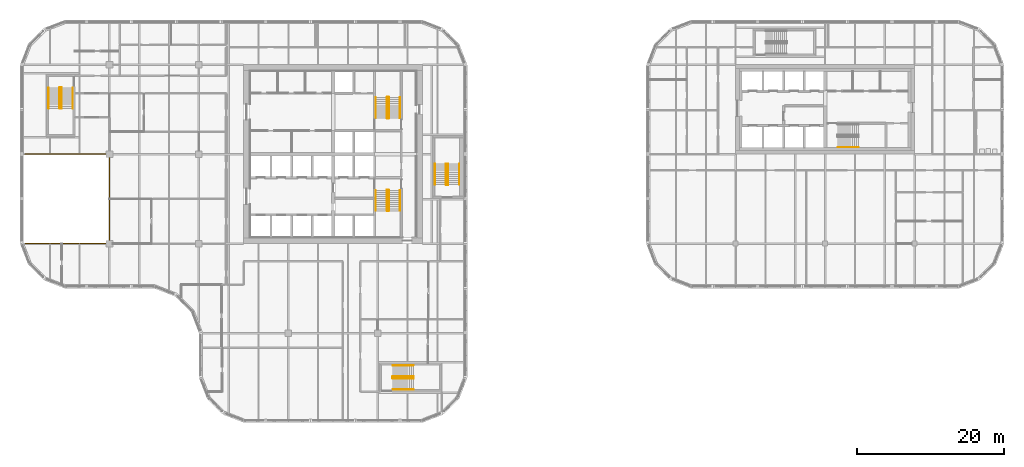
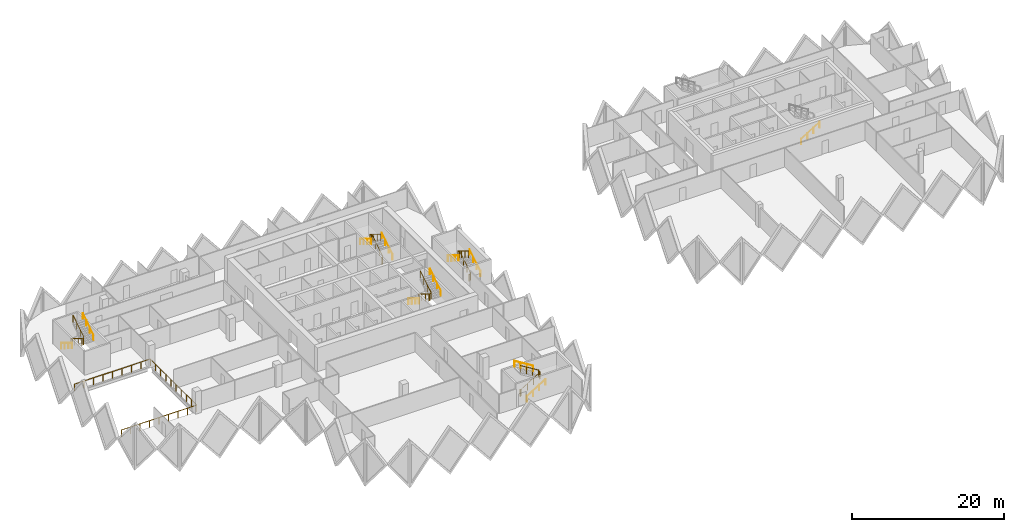
# One storey, part 17 of 19: 17 railings.
"""IFC4 building model written with IfcOpenShell, lengths in metres."""

from ifc_helpers import new_model, si_unit, direction, frame, origin, origin_2d, place, context, subcontext, project, spatial, circle, extrude, material, type_object, element, save


model = new_model("IFC4")

# Units and contexts
model_context = context("Model", 3, precision=1e-05, world=origin(), true_north=direction((0.0, 1.0)))
body_context = subcontext(model_context, "Body", "Model", "MODEL_VIEW")
ifc_project = project(units=[si_unit("LENGTHUNIT", "METRE"), si_unit("AREAUNIT", "SQUARE_METRE"), si_unit("VOLUMEUNIT", "CUBIC_METRE"), si_unit("PLANEANGLEUNIT", "RADIAN"), si_unit("MASSUNIT", "GRAM", prefix="KILO")], contexts=[model_context])

# Site, building, storey
site_placement = place(None, origin())
site = spatial("IfcSite", under=ifc_project, at=site_placement, CompositionType="ELEMENT")
building_placement = place(site_placement, origin())
building = spatial("IfcBuilding", under=site, at=building_placement, Name="Tessera Gate Towers", CompositionType="ELEMENT")
storey_placement = place(building_placement, frame((0.0, 0.0, 83.800048828125)))
storey = spatial("IfcBuildingStorey", under=building, at=storey_placement, Name="L20", CompositionType="ELEMENT", Elevation=83.800048828125)

# Railings
ifc_material_1 = material(Name="Toughened glass with stainless steel handrail", Category="steel")
railing_type_1 = type_object("IfcRailingType", Name="GUARD 1100 GLASS BALUSTRADE", PredefinedType="GUARDRAIL", material=ifc_material_1)
railing_1_placement = place(storey_placement, frame((0.750244140625, 24.39990234375, 0.0)))
element("IfcRailing", 1, at=railing_1_placement, inside=storey, type_object=railing_type_1, Name="Guard", PredefinedType="GUARDRAIL", context=body_context, shape_type="SweptSolid", body=[
    extrude(circle(Radius=0.02490234375, at=origin_2d()), frame((0.0, 0.0, 1.0751953125), z_axis=(1.0, 0.0, 0.0), x_axis=(0.0, 1.0, 0.0)), (0.0, 0.0, 1.0), 11.44970703125),
    extrude(circle(Radius=0.02490234375, at=origin_2d()), frame((11.44970703125, 0.0, 1.0751953125), z_axis=(0.0, 1.0, 0.0), x_axis=(-1.0, 0.0, 0.0)), (0.0, 0.0, 1.0), 12.2001953125),
    extrude(circle(Radius=0.02490234375, at=origin_2d()), frame((11.44970703125, 12.2001953125, 1.0751953125), z_axis=(-1.0, 0.0, 0.0), x_axis=(0.0, -1.0, 0.0)), (0.0, 0.0, 1.0), 11.5),
    extrude(circle(Radius=0.02490234375, at=origin_2d()), origin(), (0.0, 0.0, 1.0), 1.050048828125),
    extrude(circle(Radius=0.02490234375, at=origin_2d()), frame((1.43115234375, 0.0, 0.0)), (0.0, 0.0, 1.0), 1.050048828125),
    extrude(circle(Radius=0.02490234375, at=origin_2d()), frame((2.8623046875, 0.0, 0.0)), (0.0, 0.0, 1.0), 1.050048828125),
    extrude(circle(Radius=0.02490234375, at=origin_2d()), frame((4.293701171875, 0.0, 0.0)), (0.0, 0.0, 1.0), 1.050048828125),
    extrude(circle(Radius=0.02490234375, at=origin_2d()), frame((5.724853515625, 0.0, 0.0)), (0.0, 0.0, 1.0), 1.050048828125),
    extrude(circle(Radius=0.02490234375, at=origin_2d()), frame((7.156005859375, 0.0, 0.0)), (0.0, 0.0, 1.0), 1.050048828125),
    extrude(circle(Radius=0.02490234375, at=origin_2d()), frame((8.58740234375, 0.0, 0.0)), (0.0, 0.0, 1.0), 1.050048828125),
    extrude(circle(Radius=0.02490234375, at=origin_2d()), frame((10.0185546875, 0.0, 0.0)), (0.0, 0.0, 1.0), 1.050048828125),
    extrude(circle(Radius=0.02490234375, at=origin_2d()), frame((11.44970703125, 0.0, 0.0)), (0.0, 0.0, 1.0), 1.050048828125),
    extrude(circle(Radius=0.02490234375, at=origin_2d()), frame((11.44970703125, 1.35546875, 0.0)), (0.0, 0.0, 1.0), 1.050048828125),
    extrude(circle(Radius=0.02490234375, at=origin_2d()), frame((11.44970703125, 2.711181640625, 0.0)), (0.0, 0.0, 1.0), 1.050048828125),
    extrude(circle(Radius=0.02490234375, at=origin_2d()), frame((11.44970703125, 4.066650390625, 0.0)), (0.0, 0.0, 1.0), 1.050048828125),
    extrude(circle(Radius=0.02490234375, at=origin_2d()), frame((11.44970703125, 5.42236328125, 0.0)), (0.0, 0.0, 1.0), 1.050048828125),
    extrude(circle(Radius=0.02490234375, at=origin_2d()), frame((11.44970703125, 6.77783203125, 0.0)), (0.0, 0.0, 1.0), 1.050048828125),
    extrude(circle(Radius=0.02490234375, at=origin_2d()), frame((11.44970703125, 8.133544921875, 0.0)), (0.0, 0.0, 1.0), 1.050048828125),
    extrude(circle(Radius=0.02490234375, at=origin_2d()), frame((11.44970703125, 9.489013671875, 0.0)), (0.0, 0.0, 1.0), 1.050048828125),
    extrude(circle(Radius=0.02490234375, at=origin_2d()), frame((11.44970703125, 10.8447265625, 0.0)), (0.0, 0.0, 1.0), 1.050048828125),
    extrude(circle(Radius=0.02490234375, at=origin_2d()), frame((11.44970703125, 12.2001953125, 0.0)), (0.0, 0.0, 1.0), 1.050048828125),
    extrude(circle(Radius=0.02490234375, at=origin_2d()), frame((10.01220703125, 12.2001953125, 0.0)), (0.0, 0.0, 1.0), 1.050048828125),
    extrude(circle(Radius=0.02490234375, at=origin_2d()), frame((8.57470703125, 12.2001953125, 0.0)), (0.0, 0.0, 1.0), 1.050048828125),
    extrude(circle(Radius=0.02490234375, at=origin_2d()), frame((7.13720703125, 12.2001953125, 0.0)), (0.0, 0.0, 1.0), 1.050048828125),
    extrude(circle(Radius=0.02490234375, at=origin_2d()), frame((5.69970703125, 12.2001953125, 0.0)), (0.0, 0.0, 1.0), 1.050048828125),
    extrude(circle(Radius=0.02490234375, at=origin_2d()), frame((4.26220703125, 12.2001953125, 0.0)), (0.0, 0.0, 1.0), 1.050048828125),
    extrude(circle(Radius=0.02490234375, at=origin_2d()), frame((2.82470703125, 12.2001953125, 0.0)), (0.0, 0.0, 1.0), 1.050048828125),
    extrude(circle(Radius=0.02490234375, at=origin_2d()), frame((1.38720703125, 12.2001953125, 0.0)), (0.0, 0.0, 1.0), 1.050048828125),
    extrude(circle(Radius=0.02490234375, at=origin_2d()), frame((-0.05029296875, 12.2001953125, 0.0)), (0.0, 0.0, 1.0), 1.050048828125),
])
ifc_material_2 = material(Name="Steel 350W", Category="steel")
railing_type_2 = type_object("IfcRailingType", Name="STAIR GUARD 1100", PredefinedType="GUARDRAIL", material=ifc_material_2)
railing_2_placement = place(storey_placement, frame((50.27490234375, 31.72509765625, 0.0)))
element("IfcRailing", 2, at=railing_2_placement, inside=storey, type_object=railing_type_2, Name="L20 ST1 stair guard 1", PredefinedType="GUARDRAIL", context=body_context, shape_type="SweptSolid", body=[
    extrude(circle(Radius=0.02392578125, at=origin_2d()), frame((0.0, 0.0, 1.076171875), z_axis=(-1.0, 0.0, 0.0), x_axis=(0.0, -1.0, 0.0)), (0.0, 0.0, 1.0), 0.199951171875),
    extrude(circle(Radius=0.02392578125, at=origin_2d()), frame((-0.199951171875, 0.0, 1.076171875), z_axis=(-0.268277960024, -0.268277960024, 0.925231793839), x_axis=(0.707106781187, -0.707106781187, 0.0)), (0.0, 0.0, 1.0), 0.1865234375),
    extrude(circle(Radius=0.02392578125, at=origin_2d()), frame((-0.25, -0.050048828125, 1.24853515625), z_axis=(0.0, -0.851089632645, 0.525020415988), x_axis=(1.0, 0.0, 0.0)), (0.0, 0.0, 1.0), 3.2900390625),
    extrude(circle(Radius=0.02392578125, at=origin_2d()), frame((-0.25, -2.85009765625, 2.97607421875), z_axis=(0.707106781187, -0.707106781187, 0.0), x_axis=(0.707106781187, 0.707106781187, 0.0)), (0.0, 0.0, 1.0), 0.07080078125),
    extrude(circle(Radius=0.02392578125, at=origin_2d()), frame((-0.199951171875, -2.900146484375, 2.97607421875), z_axis=(1.0, 0.0, 0.0), x_axis=(0.0, 1.0, 0.0)), (0.0, 0.0, 1.0), 0.199951171875),
    extrude(circle(Radius=0.02392578125, at=origin_2d()), frame((0.0, -2.900146484375, 2.97607421875), z_axis=(0.267953482034, 0.267953482034, 0.925419830635), x_axis=(-0.707106781187, 0.707106781187, 0.0)), (0.0, 0.0, 1.0), 0.186767578125),
    extrude(circle(Radius=0.02392578125, at=origin_2d()), frame((0.050048828125, -2.85009765625, 3.14892578125), z_axis=(0.0, 0.851089632645, 0.525020415988), x_axis=(-1.0, 0.0, 0.0)), (0.0, 0.0, 1.0), 3.2900390625),
    extrude(circle(Radius=0.02099609375, at=origin_2d()), origin(), (0.0, 0.0, 1.0), 1.052001953125),
    extrude(circle(Radius=0.02099609375, at=origin_2d()), frame((-0.199951171875, 0.0, 0.0)), (0.0, 0.0, 1.0), 1.052001953125),
    extrude(circle(Radius=0.02099609375, at=origin_2d()), frame((-0.25, -0.050048828125, 0.172607421875)), (0.0, 0.0, 1.0), 1.052001953125),
    extrude(circle(Radius=0.02099609375, at=origin_2d()), frame((-0.25, -0.9833984375, 0.748291015625)), (0.0, 0.0, 1.0), 1.052001953125),
    extrude(circle(Radius=0.02099609375, at=origin_2d()), frame((-0.25, -1.916748046875, 1.32421875)), (0.0, 0.0, 1.0), 1.052001953125),
    extrude(circle(Radius=0.02099609375, at=origin_2d()), frame((-0.25, -2.85009765625, 1.89990234375)), (0.0, 0.0, 1.0), 1.052001953125),
    extrude(circle(Radius=0.02099609375, at=origin_2d()), frame((-0.199951171875, -2.900146484375, 1.89990234375)), (0.0, 0.0, 1.0), 1.052001953125),
    extrude(circle(Radius=0.02099609375, at=origin_2d()), frame((0.0, -2.900146484375, 1.89990234375)), (0.0, 0.0, 1.0), 1.052001953125),
    extrude(circle(Radius=0.02099609375, at=origin_2d()), frame((0.050048828125, -2.85009765625, 2.07275390625)), (0.0, 0.0, 1.0), 1.052001953125),
    extrude(circle(Radius=0.02099609375, at=origin_2d()), frame((0.050048828125, -1.916748046875, 2.6484375)), (0.0, 0.0, 1.0), 1.052001953125),
    extrude(circle(Radius=0.02099609375, at=origin_2d()), frame((0.050048828125, -0.9833984375, 3.224365234375)), (0.0, 0.0, 1.0), 1.052001953125),
    extrude(circle(Radius=0.02099609375, at=origin_2d()), frame((0.050048828125, -0.050048828125, 3.800048828125)), (0.0, 0.0, 1.0), 1.052001953125),
])
railing_3_placement = place(storey_placement, frame((50.074951171875, 41.47509765625, 0.0)))
element("IfcRailing", 3, at=railing_3_placement, inside=storey, type_object=railing_type_2, Name="L20 ST2 stair guard 1", PredefinedType="GUARDRAIL", context=body_context, shape_type="SweptSolid", body=[
    extrude(circle(Radius=0.02392578125, at=origin_2d()), frame((0.0, 0.0, 1.076171875), z_axis=(1.0, 0.0, 0.0), x_axis=(0.0, 1.0, 0.0)), (0.0, 0.0, 1.0), 0.199951171875),
    extrude(circle(Radius=0.02392578125, at=origin_2d()), frame((0.199951171875, 0.0, 1.076171875), z_axis=(0.268371968888, 0.267062837333, 0.925556009775), x_axis=(-0.705375805398, 0.708833529934, 0.0)), (0.0, 0.0, 1.0), 0.1865234375),
    extrude(circle(Radius=0.02392578125, at=origin_2d()), frame((0.25, 0.0498046875, 1.24853515625), z_axis=(0.0, 0.851089632645, 0.525020415988), x_axis=(-1.0, 0.0, 0.0)), (0.0, 0.0, 1.0), 3.2900390625),
    extrude(circle(Radius=0.02392578125, at=origin_2d()), frame((0.25, 2.849853515625, 2.97607421875), z_axis=(-0.707106781187, 0.707106781187, 0.0), x_axis=(-0.707106781187, -0.707106781187, 0.0)), (0.0, 0.0, 1.0), 0.07080078125),
    extrude(circle(Radius=0.02392578125, at=origin_2d()), frame((0.199951171875, 2.89990234375, 2.97607421875), z_axis=(-1.0, 0.0, 0.0), x_axis=(0.0, -1.0, 0.0)), (0.0, 0.0, 1.0), 0.199951171875),
    extrude(circle(Radius=0.02392578125, at=origin_2d()), frame((0.0, 2.89990234375, 2.97607421875), z_axis=(-0.267953482034, -0.267953482034, 0.925419830635), x_axis=(0.707106781187, -0.707106781187, 0.0)), (0.0, 0.0, 1.0), 0.186767578125),
    extrude(circle(Radius=0.02392578125, at=origin_2d()), frame((-0.050048828125, 2.849853515625, 3.14892578125), z_axis=(0.0, -0.851089632645, 0.525020415988), x_axis=(1.0, 0.0, 0.0)), (0.0, 0.0, 1.0), 3.2900390625),
    extrude(circle(Radius=0.02099609375, at=origin_2d()), origin(), (0.0, 0.0, 1.0), 1.052001953125),
    extrude(circle(Radius=0.02099609375, at=origin_2d()), frame((0.199951171875, 0.0, 0.0)), (0.0, 0.0, 1.0), 1.052001953125),
    extrude(circle(Radius=0.02099609375, at=origin_2d()), frame((0.25, 0.0498046875, 0.172607421875)), (0.0, 0.0, 1.0), 1.052001953125),
    extrude(circle(Radius=0.02099609375, at=origin_2d()), frame((0.25, 0.983154296875, 0.748291015625)), (0.0, 0.0, 1.0), 1.052001953125),
    extrude(circle(Radius=0.02099609375, at=origin_2d()), frame((0.25, 1.91650390625, 1.32421875)), (0.0, 0.0, 1.0), 1.052001953125),
    extrude(circle(Radius=0.02099609375, at=origin_2d()), frame((0.25, 2.849853515625, 1.89990234375)), (0.0, 0.0, 1.0), 1.052001953125),
    extrude(circle(Radius=0.02099609375, at=origin_2d()), frame((0.199951171875, 2.89990234375, 1.89990234375)), (0.0, 0.0, 1.0), 1.052001953125),
    extrude(circle(Radius=0.02099609375, at=origin_2d()), frame((0.0, 2.89990234375, 1.89990234375)), (0.0, 0.0, 1.0), 1.052001953125),
    extrude(circle(Radius=0.02099609375, at=origin_2d()), frame((-0.050048828125, 2.849853515625, 2.07275390625)), (0.0, 0.0, 1.0), 1.052001953125),
    extrude(circle(Radius=0.02099609375, at=origin_2d()), frame((-0.050048828125, 1.91650390625, 2.6484375)), (0.0, 0.0, 1.0), 1.052001953125),
    extrude(circle(Radius=0.02099609375, at=origin_2d()), frame((-0.050048828125, 0.983154296875, 3.224365234375)), (0.0, 0.0, 1.0), 1.052001953125),
    extrude(circle(Radius=0.02099609375, at=origin_2d()), frame((-0.050048828125, 0.0498046875, 3.800048828125)), (0.0, 0.0, 1.0), 1.052001953125),
])
railing_4_placement = place(storey_placement, frame((5.64990234375, 45.699951171875, 0.0)))
element("IfcRailing", 4, at=railing_4_placement, inside=storey, type_object=railing_type_2, Name="L20 ST3 stair guard 1", PredefinedType="GUARDRAIL", context=body_context, shape_type="SweptSolid", body=[
    extrude(circle(Radius=0.02392578125, at=origin_2d()), frame((0.0, 0.0, 1.076171875), z_axis=(-1.0, 0.0, 0.0), x_axis=(0.0, -1.0, 0.0)), (0.0, 0.0, 1.0), 0.199951171875),
    extrude(circle(Radius=0.02392578125, at=origin_2d()), frame((-0.199951171875, 0.0, 1.076171875), z_axis=(-0.268277960024, -0.268277960024, 0.925231793839), x_axis=(0.707106781187, -0.707106781187, 0.0)), (0.0, 0.0, 1.0), 0.1865234375),
    extrude(circle(Radius=0.02392578125, at=origin_2d()), frame((-0.25, -0.050048828125, 1.24853515625), z_axis=(0.0, -0.851069175582, 0.525053576669), x_axis=(1.0, 0.0, 0.0)), (0.0, 0.0, 1.0), 3.289794921875),
    extrude(circle(Radius=0.02392578125, at=origin_2d()), frame((-0.25, -2.849853515625, 2.97607421875), z_axis=(0.707106781187, -0.707106781187, 0.0), x_axis=(0.707106781187, 0.707106781187, 0.0)), (0.0, 0.0, 1.0), 0.07080078125),
    extrude(circle(Radius=0.02392578125, at=origin_2d()), frame((-0.199951171875, -2.89990234375, 2.97607421875), z_axis=(1.0, 0.0, 0.0), x_axis=(0.0, 1.0, 0.0)), (0.0, 0.0, 1.0), 0.199951171875),
    extrude(circle(Radius=0.02392578125, at=origin_2d()), frame((0.0, -2.89990234375, 2.97607421875), z_axis=(0.267953482034, 0.267953482034, 0.925419830635), x_axis=(-0.707106781187, 0.707106781187, 0.0)), (0.0, 0.0, 1.0), 0.186767578125),
    extrude(circle(Radius=0.02392578125, at=origin_2d()), frame((0.050048828125, -2.849853515625, 3.14892578125), z_axis=(0.0, 0.851069175582, 0.525053576669), x_axis=(-1.0, 0.0, 0.0)), (0.0, 0.0, 1.0), 3.289794921875),
    extrude(circle(Radius=0.02099609375, at=origin_2d()), origin(), (0.0, 0.0, 1.0), 1.052001953125),
    extrude(circle(Radius=0.02099609375, at=origin_2d()), frame((-0.199951171875, 0.0, 0.0)), (0.0, 0.0, 1.0), 1.052001953125),
    extrude(circle(Radius=0.02099609375, at=origin_2d()), frame((-0.25, -0.050048828125, 0.172607421875)), (0.0, 0.0, 1.0), 1.052001953125),
    extrude(circle(Radius=0.02099609375, at=origin_2d()), frame((-0.25, -0.9833984375, 0.748291015625)), (0.0, 0.0, 1.0), 1.052001953125),
    extrude(circle(Radius=0.02099609375, at=origin_2d()), frame((-0.25, -1.91650390625, 1.32421875)), (0.0, 0.0, 1.0), 1.052001953125),
    extrude(circle(Radius=0.02099609375, at=origin_2d()), frame((-0.25, -2.849853515625, 1.89990234375)), (0.0, 0.0, 1.0), 1.052001953125),
    extrude(circle(Radius=0.02099609375, at=origin_2d()), frame((-0.199951171875, -2.89990234375, 1.89990234375)), (0.0, 0.0, 1.0), 1.052001953125),
    extrude(circle(Radius=0.02099609375, at=origin_2d()), frame((0.0, -2.89990234375, 1.89990234375)), (0.0, 0.0, 1.0), 1.052001953125),
    extrude(circle(Radius=0.02099609375, at=origin_2d()), frame((0.050048828125, -2.849853515625, 2.07275390625)), (0.0, 0.0, 1.0), 1.052001953125),
    extrude(circle(Radius=0.02099609375, at=origin_2d()), frame((0.050048828125, -1.91650390625, 2.6484375)), (0.0, 0.0, 1.0), 1.052001953125),
    extrude(circle(Radius=0.02099609375, at=origin_2d()), frame((0.050048828125, -0.9833984375, 3.224365234375)), (0.0, 0.0, 1.0), 1.052001953125),
    extrude(circle(Radius=0.02099609375, at=origin_2d()), frame((0.050048828125, -0.050048828125, 3.800048828125)), (0.0, 0.0, 1.0), 1.052001953125),
])
railing_5_placement = place(storey_placement, frame((50.800048828125, 6.25, 0.0)))
element("IfcRailing", 5, at=railing_5_placement, inside=storey, type_object=railing_type_2, Name="L20 ST4 stair guard 1", PredefinedType="GUARDRAIL", context=body_context, shape_type="SweptSolid", body=[
    extrude(circle(Radius=0.02392578125, at=origin_2d()), frame((0.0, 0.0, 1.076171875), z_axis=(0.0, -1.0, 0.0), x_axis=(1.0, 0.0, 0.0)), (0.0, 0.0, 1.0), 0.199951171875),
    extrude(circle(Radius=0.02392578125, at=origin_2d()), frame((0.0, -0.199951171875, 1.076171875), z_axis=(0.268277960024, -0.268277960024, 0.925231793839), x_axis=(0.707106781187, 0.707106781187, 0.0)), (0.0, 0.0, 1.0), 0.1865234375),
    extrude(circle(Radius=0.02392578125, at=origin_2d()), frame((0.050048828125, -0.25, 1.24853515625), z_axis=(0.851069175582, 0.0, 0.525053576669), x_axis=(0.0, 1.0, 0.0)), (0.0, 0.0, 1.0), 3.289794921875),
    extrude(circle(Radius=0.02392578125, at=origin_2d()), frame((2.849853515625, -0.25, 2.97607421875), z_axis=(0.707106781187, 0.707106781187, 0.0), x_axis=(-0.707106781187, 0.707106781187, 0.0)), (0.0, 0.0, 1.0), 0.07080078125),
    extrude(circle(Radius=0.02392578125, at=origin_2d()), frame((2.89990234375, -0.199951171875, 2.97607421875), z_axis=(0.0, 1.0, 0.0), x_axis=(-1.0, 0.0, 0.0)), (0.0, 0.0, 1.0), 0.199951171875),
    extrude(circle(Radius=0.02392578125, at=origin_2d()), frame((2.89990234375, 0.0, 2.97607421875), z_axis=(-0.267953482034, 0.267953482034, 0.925419830635), x_axis=(-0.707106781187, -0.707106781187, 0.0)), (0.0, 0.0, 1.0), 0.186767578125),
    extrude(circle(Radius=0.02392578125, at=origin_2d()), frame((2.849853515625, 0.050048828125, 3.14892578125), z_axis=(-0.851069175582, 0.0, 0.525053576669), x_axis=(0.0, -1.0, 0.0)), (0.0, 0.0, 1.0), 3.289794921875),
    extrude(circle(Radius=0.02099609375, at=origin_2d()), origin(), (0.0, 0.0, 1.0), 1.052001953125),
    extrude(circle(Radius=0.02099609375, at=origin_2d()), frame((0.0, -0.199951171875, 0.0)), (0.0, 0.0, 1.0), 1.052001953125),
    extrude(circle(Radius=0.02099609375, at=origin_2d()), frame((0.050048828125, -0.25, 0.172607421875)), (0.0, 0.0, 1.0), 1.052001953125),
    extrude(circle(Radius=0.02099609375, at=origin_2d()), frame((0.9833984375, -0.25, 0.748291015625)), (0.0, 0.0, 1.0), 1.052001953125),
    extrude(circle(Radius=0.02099609375, at=origin_2d()), frame((1.91650390625, -0.25, 1.32421875)), (0.0, 0.0, 1.0), 1.052001953125),
    extrude(circle(Radius=0.02099609375, at=origin_2d()), frame((2.849853515625, -0.25, 1.89990234375)), (0.0, 0.0, 1.0), 1.052001953125),
    extrude(circle(Radius=0.02099609375, at=origin_2d()), frame((2.89990234375, -0.199951171875, 1.89990234375)), (0.0, 0.0, 1.0), 1.052001953125),
    extrude(circle(Radius=0.02099609375, at=origin_2d()), frame((2.89990234375, 0.0, 1.89990234375)), (0.0, 0.0, 1.0), 1.052001953125),
    extrude(circle(Radius=0.02099609375, at=origin_2d()), frame((2.849853515625, 0.050048828125, 2.07275390625)), (0.0, 0.0, 1.0), 1.052001953125),
    extrude(circle(Radius=0.02099609375, at=origin_2d()), frame((1.91650390625, 0.050048828125, 2.6484375)), (0.0, 0.0, 1.0), 1.052001953125),
    extrude(circle(Radius=0.02099609375, at=origin_2d()), frame((0.9833984375, 0.050048828125, 3.224365234375)), (0.0, 0.0, 1.0), 1.052001953125),
    extrude(circle(Radius=0.02099609375, at=origin_2d()), frame((0.050048828125, 0.050048828125, 3.800048828125)), (0.0, 0.0, 1.0), 1.052001953125),
])
railing_6_placement = place(storey_placement, frame((58.14990234375, 32.39990234375, 0.0)))
element("IfcRailing", 6, at=railing_6_placement, inside=storey, type_object=railing_type_2, Name="L20 ST5 stair guard 1", PredefinedType="GUARDRAIL", context=body_context, shape_type="SweptSolid", body=[
    extrude(circle(Radius=0.02392578125, at=origin_2d()), frame((0.0, 0.0, 1.076171875), z_axis=(1.0, 0.0, 0.0), x_axis=(0.0, 1.0, 0.0)), (0.0, 0.0, 1.0), 0.2001953125),
    extrude(circle(Radius=0.02392578125, at=origin_2d()), frame((0.2001953125, 0.0, 1.076171875), z_axis=(0.267062837333, 0.268371968888, 0.925556009775), x_axis=(-0.708833529934, 0.705375805398, 0.0)), (0.0, 0.0, 1.0), 0.1865234375),
    extrude(circle(Radius=0.02392578125, at=origin_2d()), frame((0.25, 0.050048828125, 1.24853515625), z_axis=(0.0, 0.851089632645, 0.525020415988), x_axis=(-1.0, 0.0, 0.0)), (0.0, 0.0, 1.0), 3.2900390625),
    extrude(circle(Radius=0.02392578125, at=origin_2d()), frame((0.25, 2.85009765625, 2.97607421875), z_axis=(-0.705375805398, 0.708833529934, 0.0), x_axis=(-0.708833529934, -0.705375805398, 0.0)), (0.0, 0.0, 1.0), 0.070556640625),
    extrude(circle(Radius=0.02392578125, at=origin_2d()), frame((0.2001953125, 2.900146484375, 2.97607421875), z_axis=(-1.0, 0.0, 0.0), x_axis=(0.0, -1.0, 0.0)), (0.0, 0.0, 1.0), 0.2001953125),
    extrude(circle(Radius=0.02392578125, at=origin_2d()), frame((0.0, 2.900146484375, 2.97607421875), z_axis=(-0.266739603011, -0.268047150085, 0.925743328097), x_axis=(0.708833529934, -0.705375805398, 0.0)), (0.0, 0.0, 1.0), 0.186767578125),
    extrude(circle(Radius=0.02392578125, at=origin_2d()), frame((-0.0498046875, 2.85009765625, 3.14892578125), z_axis=(0.0, -0.851089632645, 0.525020415988), x_axis=(1.0, 0.0, 0.0)), (0.0, 0.0, 1.0), 3.2900390625),
    extrude(circle(Radius=0.02099609375, at=origin_2d()), origin(), (0.0, 0.0, 1.0), 1.052001953125),
    extrude(circle(Radius=0.02099609375, at=origin_2d()), frame((0.2001953125, 0.0, 0.0)), (0.0, 0.0, 1.0), 1.052001953125),
    extrude(circle(Radius=0.02099609375, at=origin_2d()), frame((0.25, 0.050048828125, 0.172607421875)), (0.0, 0.0, 1.0), 1.052001953125),
    extrude(circle(Radius=0.02099609375, at=origin_2d()), frame((0.25, 0.9833984375, 0.748291015625)), (0.0, 0.0, 1.0), 1.052001953125),
    extrude(circle(Radius=0.02099609375, at=origin_2d()), frame((0.25, 1.916748046875, 1.32421875)), (0.0, 0.0, 1.0), 1.052001953125),
    extrude(circle(Radius=0.02099609375, at=origin_2d()), frame((0.25, 2.85009765625, 1.89990234375)), (0.0, 0.0, 1.0), 1.052001953125),
    extrude(circle(Radius=0.02099609375, at=origin_2d()), frame((0.2001953125, 2.900146484375, 1.89990234375)), (0.0, 0.0, 1.0), 1.052001953125),
    extrude(circle(Radius=0.02099609375, at=origin_2d()), frame((0.0, 2.900146484375, 1.89990234375)), (0.0, 0.0, 1.0), 1.052001953125),
    extrude(circle(Radius=0.02099609375, at=origin_2d()), frame((-0.0498046875, 2.85009765625, 2.07275390625)), (0.0, 0.0, 1.0), 1.052001953125),
    extrude(circle(Radius=0.02099609375, at=origin_2d()), frame((-0.0498046875, 1.916748046875, 2.6484375)), (0.0, 0.0, 1.0), 1.052001953125),
    extrude(circle(Radius=0.02099609375, at=origin_2d()), frame((-0.0498046875, 0.9833984375, 3.224365234375)), (0.0, 0.0, 1.0), 1.052001953125),
    extrude(circle(Radius=0.02099609375, at=origin_2d()), frame((-0.0498046875, 0.050048828125, 3.800048828125)), (0.0, 0.0, 1.0), 1.052001953125),
])
ifc_material_3 = material(Name="Steel 350W", Category="steel")
railing_type_3 = type_object("IfcRailingType", Name="STAIR HANDRAIL 900", PredefinedType="HANDRAIL", material=ifc_material_3)
railing_7_placement = place(storey_placement, frame((48.52490234375, 31.675048828125, 0.172607421875)))
element("IfcRailing", 7, at=railing_7_placement, inside=storey, type_object=railing_type_3, Name="L20 ST1 stair handrail 1", PredefinedType="HANDRAIL", context=body_context, shape_type="SweptSolid", body=[
    extrude(circle(Radius=0.02392578125, at=origin_2d()), frame((0.0, 0.0, 0.8759765625), z_axis=(0.0, -0.851089632645, 0.525020415988), x_axis=(1.0, 0.0, 0.0)), (0.0, 0.0, 1.0), 3.2900390625),
    extrude(circle(Radius=0.02099609375, at=origin_2d()), origin(), (0.0, 0.0, 1.0), 0.851806640625),
    extrude(circle(Radius=0.02099609375, at=origin_2d()), frame((0.0, -0.933349609375, 0.57568359375)), (0.0, 0.0, 1.0), 0.851806640625),
    extrude(circle(Radius=0.02099609375, at=origin_2d()), frame((0.0, -1.86669921875, 1.151611328125)), (0.0, 0.0, 1.0), 0.851806640625),
    extrude(circle(Radius=0.02099609375, at=origin_2d()), frame((0.0, -2.800048828125, 1.727294921875)), (0.0, 0.0, 1.0), 0.851806640625),
])
for number, where, name in (
    (8, (51.824951171875, 28.875, 2.07275390625), "L20 ST1 stair handrail 2"),
    (9, (51.824951171875, 41.52490234375, 0.172607421875), "L20 ST2 stair handrail 1"),
):
    element("IfcRailing", number, at=place(storey_placement, frame(where)), inside=storey, type_object=railing_type_3, Name=name, PredefinedType="HANDRAIL", context=body_context, shape_type="SweptSolid", body=[
        extrude(circle(Radius=0.02392578125, at=origin_2d()), frame((0.0, 0.0, 0.8759765625), z_axis=(0.0, 0.851089632645, 0.525020415988), x_axis=(-1.0, 0.0, 0.0)), (0.0, 0.0, 1.0), 3.2900390625),
        extrude(circle(Radius=0.02099609375, at=origin_2d()), origin(), (0.0, 0.0, 1.0), 0.851806640625),
        extrude(circle(Radius=0.02099609375, at=origin_2d()), frame((0.0, 0.933349609375, 0.57568359375)), (0.0, 0.0, 1.0), 0.851806640625),
        extrude(circle(Radius=0.02099609375, at=origin_2d()), frame((0.0, 1.86669921875, 1.151611328125)), (0.0, 0.0, 1.0), 0.851806640625),
        extrude(circle(Radius=0.02099609375, at=origin_2d()), frame((0.0, 2.800048828125, 1.727294921875)), (0.0, 0.0, 1.0), 0.851806640625),
    ])
railing_8_placement = place(storey_placement, frame((48.52490234375, 44.324951171875, 2.07275390625)))
element("IfcRailing", 10, at=railing_8_placement, inside=storey, type_object=railing_type_3, Name="L20 ST2 stair handrail 2", PredefinedType="HANDRAIL", context=body_context, shape_type="SweptSolid", body=[
    extrude(circle(Radius=0.02392578125, at=origin_2d()), frame((0.0, 0.0, 0.8759765625), z_axis=(0.0, -0.851089632645, 0.525020415988), x_axis=(1.0, 0.0, 0.0)), (0.0, 0.0, 1.0), 3.2900390625),
    extrude(circle(Radius=0.02099609375, at=origin_2d()), origin(), (0.0, 0.0, 1.0), 0.851806640625),
    extrude(circle(Radius=0.02099609375, at=origin_2d()), frame((0.0, -0.933349609375, 0.57568359375)), (0.0, 0.0, 1.0), 0.851806640625),
    extrude(circle(Radius=0.02099609375, at=origin_2d()), frame((0.0, -1.86669921875, 1.151611328125)), (0.0, 0.0, 1.0), 0.851806640625),
    extrude(circle(Radius=0.02099609375, at=origin_2d()), frame((0.0, -2.800048828125, 1.727294921875)), (0.0, 0.0, 1.0), 0.851806640625),
])
railing_9_placement = place(storey_placement, frame((3.89990234375, 45.64990234375, 0.172607421875)))
element("IfcRailing", 11, at=railing_9_placement, inside=storey, type_object=railing_type_3, Name="L20 ST3 stair handrail 1", PredefinedType="HANDRAIL", context=body_context, shape_type="SweptSolid", body=[
    extrude(circle(Radius=0.02392578125, at=origin_2d()), frame((0.0, 0.0, 0.8759765625), z_axis=(0.0, -0.851069175582, 0.525053576669), x_axis=(1.0, 0.0, 0.0)), (0.0, 0.0, 1.0), 3.289794921875),
    extrude(circle(Radius=0.02099609375, at=origin_2d()), origin(), (0.0, 0.0, 1.0), 0.851806640625),
    extrude(circle(Radius=0.02099609375, at=origin_2d()), frame((0.0, -0.933349609375, 0.57568359375)), (0.0, 0.0, 1.0), 0.851806640625),
    extrude(circle(Radius=0.02099609375, at=origin_2d()), frame((0.0, -1.866455078125, 1.151611328125)), (0.0, 0.0, 1.0), 0.851806640625),
    extrude(circle(Radius=0.02099609375, at=origin_2d()), frame((0.0, -2.7998046875, 1.727294921875)), (0.0, 0.0, 1.0), 0.851806640625),
])
railing_10_placement = place(storey_placement, frame((7.199951171875, 42.85009765625, 2.07275390625)))
element("IfcRailing", 12, at=railing_10_placement, inside=storey, type_object=railing_type_3, Name="L20 ST3 stair handrail 2", PredefinedType="HANDRAIL", context=body_context, shape_type="SweptSolid", body=[
    extrude(circle(Radius=0.02392578125, at=origin_2d()), frame((0.0, 0.0, 0.8759765625), z_axis=(0.0, 0.851069175582, 0.525053576669), x_axis=(-1.0, 0.0, 0.0)), (0.0, 0.0, 1.0), 3.289794921875),
    extrude(circle(Radius=0.02099609375, at=origin_2d()), origin(), (0.0, 0.0, 1.0), 0.851806640625),
    extrude(circle(Radius=0.02099609375, at=origin_2d()), frame((0.0, 0.933349609375, 0.57568359375)), (0.0, 0.0, 1.0), 0.851806640625),
    extrude(circle(Radius=0.02099609375, at=origin_2d()), frame((0.0, 1.866455078125, 1.151611328125)), (0.0, 0.0, 1.0), 0.851806640625),
    extrude(circle(Radius=0.02099609375, at=origin_2d()), frame((0.0, 2.7998046875, 1.727294921875)), (0.0, 0.0, 1.0), 0.851806640625),
])
railing_11_placement = place(storey_placement, frame((50.85009765625, 4.5, 0.172607421875)))
element("IfcRailing", 13, at=railing_11_placement, inside=storey, type_object=railing_type_3, Name="L20 ST4 stair handrail 1", PredefinedType="HANDRAIL", context=body_context, shape_type="SweptSolid", body=[
    extrude(circle(Radius=0.02392578125, at=origin_2d()), frame((0.0, 0.0, 0.8759765625), z_axis=(0.851069175582, 0.0, 0.525053576669), x_axis=(0.0, 1.0, 0.0)), (0.0, 0.0, 1.0), 3.289794921875),
    extrude(circle(Radius=0.02099609375, at=origin_2d()), origin(), (0.0, 0.0, 1.0), 0.851806640625),
    extrude(circle(Radius=0.02099609375, at=origin_2d()), frame((0.933349609375, 0.0, 0.57568359375)), (0.0, 0.0, 1.0), 0.851806640625),
    extrude(circle(Radius=0.02099609375, at=origin_2d()), frame((1.866455078125, 0.0, 1.151611328125)), (0.0, 0.0, 1.0), 0.851806640625),
    extrude(circle(Radius=0.02099609375, at=origin_2d()), frame((2.7998046875, 0.0, 1.727294921875)), (0.0, 0.0, 1.0), 0.851806640625),
])
railing_12_placement = place(storey_placement, frame((53.64990234375, 7.800048828125, 2.07275390625)))
element("IfcRailing", 14, at=railing_12_placement, inside=storey, type_object=railing_type_3, Name="L20 ST4 stair handrail 2", PredefinedType="HANDRAIL", context=body_context, shape_type="SweptSolid", body=[
    extrude(circle(Radius=0.02392578125, at=origin_2d()), frame((0.0, 0.0, 0.8759765625), z_axis=(-0.851069175582, 0.0, 0.525053576669), x_axis=(0.0, -1.0, 0.0)), (0.0, 0.0, 1.0), 3.289794921875),
    extrude(circle(Radius=0.02099609375, at=origin_2d()), origin(), (0.0, 0.0, 1.0), 0.851806640625),
    extrude(circle(Radius=0.02099609375, at=origin_2d()), frame((-0.933349609375, 0.0, 0.57568359375)), (0.0, 0.0, 1.0), 0.851806640625),
    extrude(circle(Radius=0.02099609375, at=origin_2d()), frame((-1.866455078125, 0.0, 1.151611328125)), (0.0, 0.0, 1.0), 0.851806640625),
    extrude(circle(Radius=0.02099609375, at=origin_2d()), frame((-2.7998046875, 0.0, 1.727294921875)), (0.0, 0.0, 1.0), 0.851806640625),
])
railing_13_placement = place(storey_placement, frame((59.89990234375, 32.449951171875, 0.172607421875)))
element("IfcRailing", 15, at=railing_13_placement, inside=storey, type_object=railing_type_3, Name="L20 ST5 stair handrail 1", PredefinedType="HANDRAIL", context=body_context, shape_type="SweptSolid", body=[
    extrude(circle(Radius=0.02392578125, at=origin_2d()), frame((0.0, 0.0, 0.8759765625), z_axis=(0.0, 0.851089632645, 0.525020415988), x_axis=(-1.0, 0.0, 0.0)), (0.0, 0.0, 1.0), 3.2900390625),
    extrude(circle(Radius=0.02099609375, at=origin_2d()), origin(), (0.0, 0.0, 1.0), 0.851806640625),
    extrude(circle(Radius=0.02099609375, at=origin_2d()), frame((0.0, 0.933349609375, 0.57568359375)), (0.0, 0.0, 1.0), 0.851806640625),
    extrude(circle(Radius=0.02099609375, at=origin_2d()), frame((0.0, 1.86669921875, 1.151611328125)), (0.0, 0.0, 1.0), 0.851806640625),
    extrude(circle(Radius=0.02099609375, at=origin_2d()), frame((0.0, 2.800048828125, 1.727294921875)), (0.0, 0.0, 1.0), 0.851806640625),
])
railing_14_placement = place(storey_placement, frame((56.60009765625, 35.25, 2.07275390625)))
element("IfcRailing", 16, at=railing_14_placement, inside=storey, type_object=railing_type_3, Name="L20 ST5 stair handrail 2", PredefinedType="HANDRAIL", context=body_context, shape_type="SweptSolid", body=[
    extrude(circle(Radius=0.02392578125, at=origin_2d()), frame((0.0, 0.0, 0.8759765625), z_axis=(0.0, -0.851089632645, 0.525020415988), x_axis=(1.0, 0.0, 0.0)), (0.0, 0.0, 1.0), 3.2900390625),
    extrude(circle(Radius=0.02099609375, at=origin_2d()), origin(), (0.0, 0.0, 1.0), 0.851806640625),
    extrude(circle(Radius=0.02099609375, at=origin_2d()), frame((0.0, -0.933349609375, 0.57568359375)), (0.0, 0.0, 1.0), 0.851806640625),
    extrude(circle(Radius=0.02099609375, at=origin_2d()), frame((0.0, -1.86669921875, 1.151611328125)), (0.0, 0.0, 1.0), 0.851806640625),
    extrude(circle(Radius=0.02099609375, at=origin_2d()), frame((0.0, -2.800048828125, 1.727294921875)), (0.0, 0.0, 1.0), 0.851806640625),
])
railing_15_placement = place(storey_placement, frame((111.550048828125, 37.550048828125, 0.172607421875)))
element("IfcRailing", 17, at=railing_15_placement, inside=storey, type_object=railing_type_3, Name="L20 ST6 stair handrail 1", PredefinedType="HANDRAIL", context=body_context, shape_type="SweptSolid", body=[
    extrude(circle(Radius=0.02392578125, at=origin_2d()), frame((0.0, 0.0, 0.8759765625), z_axis=(0.851089632645, 0.0, 0.525020415988), x_axis=(0.0, 1.0, 0.0)), (0.0, 0.0, 1.0), 3.2900390625),
    extrude(circle(Radius=0.02099609375, at=origin_2d()), origin(), (0.0, 0.0, 1.0), 0.851806640625),
    extrude(circle(Radius=0.02099609375, at=origin_2d()), frame((0.933349609375, 0.0, 0.57568359375)), (0.0, 0.0, 1.0), 0.851806640625),
    extrude(circle(Radius=0.02099609375, at=origin_2d()), frame((1.86669921875, 0.0, 1.151611328125)), (0.0, 0.0, 1.0), 0.851806640625),
    extrude(circle(Radius=0.02099609375, at=origin_2d()), frame((2.800048828125, 0.0, 1.727294921875)), (0.0, 0.0, 1.0), 0.851806640625),
])

save(model, "model.ifc")
